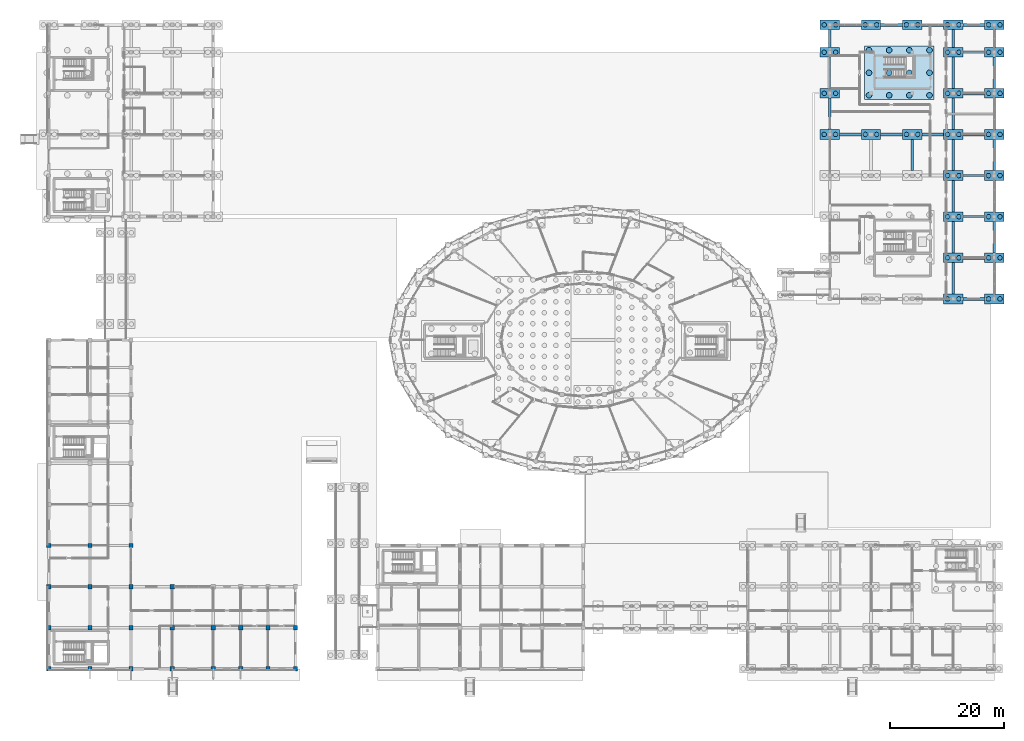
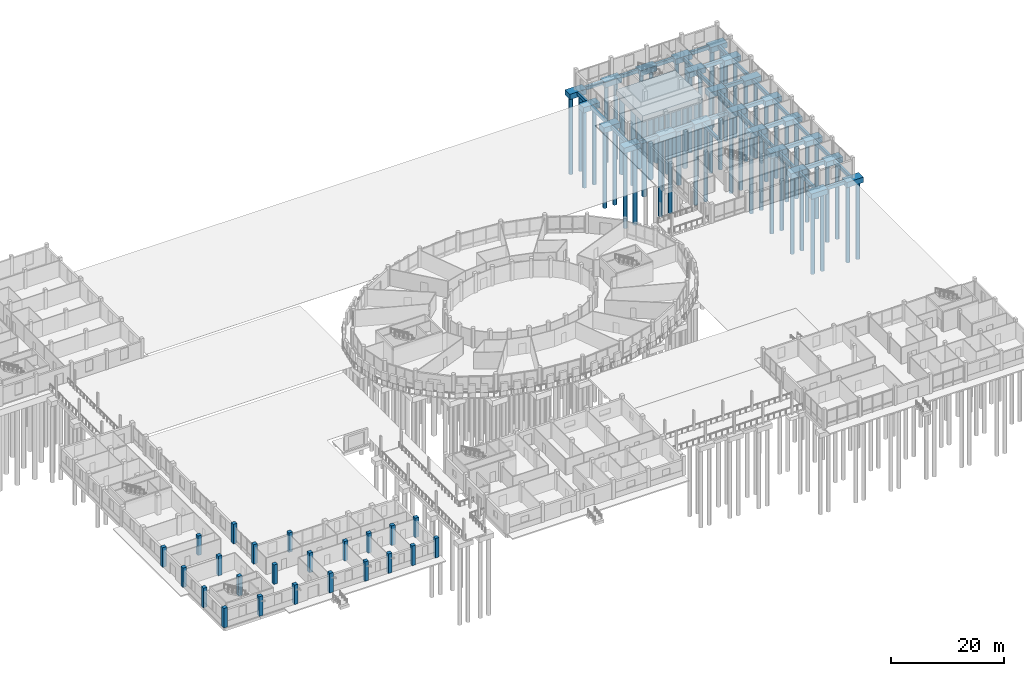
# One storey, part 5 of 98: 60 piles, 57 footings, 23 columns.
"""IFC4 building model written with IfcOpenShell, lengths in metres."""

from ifc_helpers import new_model, si_unit, direction, frame, origin, origin_2d, place, context, subcontext, project, spatial, rectangle, circle, extrude, material, material_profile, profile_set, type_object, element, save


model = new_model("IFC4")

# Units and contexts
model_context = context("Model", 3, precision=1e-05, world=origin(), true_north=direction((0.0, 1.0)))
body_context = subcontext(model_context, "Body", "Model", "MODEL_VIEW")
ifc_project = project(units=[si_unit("LENGTHUNIT", "METRE"), si_unit("AREAUNIT", "SQUARE_METRE"), si_unit("VOLUMEUNIT", "CUBIC_METRE"), si_unit("PLANEANGLEUNIT", "RADIAN"), si_unit("MASSUNIT", "GRAM", prefix="KILO")], contexts=[model_context])

# Site, building, storey
site_placement = place(None, origin())
site = spatial("IfcSite", under=ifc_project, at=site_placement, CompositionType="ELEMENT")
building_placement = place(site_placement, origin())
building = spatial("IfcBuilding", under=site, at=building_placement, Name="Zornivar Specialist Clinic", CompositionType="ELEMENT")
storey_placement = place(building_placement, origin())
storey = spatial("IfcBuildingStorey", under=building, at=storey_placement, Name="L00", CompositionType="ELEMENT", Elevation=0.0)

# Footings
ifc_material_1 = material(Name="Concrete C30/37", Category="concrete")
ifc_material_profile_1 = material_profile(ifc_material_1, rectangle(XDim=0.449951171875, YDim=0.699951171875, at=origin_2d()), Name="RC 450x700")
ifc_profile_set_1 = profile_set([ifc_material_profile_1], Name="Concrete C30/37")
footing_type_1 = type_object("IfcFootingType", Name="FTG-GB-450x700", PredefinedType="FOOTING_BEAM", material=ifc_profile_set_1)
for number, where, z_axis, x_axis, name in (
    (1, (136.800048828125, 94.449951171875, -0.72998046875), (0.0, 1.0, 0.0), (-1.0, 0.0, 0.0), "gb:L00:y:1368:944"),
    (2, (136.800048828125, 101.64990234375, -0.72998046875), (0.0, 1.0, 0.0), (-1.0, 0.0, 0.0), "gb:L00:y:1368:1016"),
):
    element("IfcFooting", number, at=place(storey_placement, frame(where, z_axis=z_axis, x_axis=x_axis)), inside=storey, type_object=footing_type_1, Name=name, PredefinedType="FOOTING_BEAM", context=body_context, shape_type="SweptSolid", body=[
        extrude(rectangle(XDim=0.449951171875, YDim=0.699951171875, at=origin_2d()), origin(), (0.0, 0.0, 1.0), 5.5),
    ])
footing_1_placement = place(storey_placement, frame((136.800048828125, 108.85009765625, -0.72998046875), z_axis=(0.0, 1.0, 0.0), x_axis=(-1.0, 0.0, 0.0)))
element("IfcFooting", 3, at=footing_1_placement, inside=storey, type_object=footing_type_1, Name="gb:L00:y:1368:1088", PredefinedType="FOOTING_BEAM", context=body_context, shape_type="SweptSolid", body=[
    extrude(rectangle(XDim=0.449951171875, YDim=0.699951171875, at=origin_2d()), origin(), (0.0, 0.0, 1.0), 3.099853515625),
])
for number, where, z_axis, x_axis, name in (
    (4, (151.199951171875, 87.25, -0.72998046875), (0.0, 1.0, 0.0), (-1.0, 0.0, 0.0), "gb:L00:y:1512:872"),
    (5, (158.39990234375, 65.64990234375, -0.72998046875), (0.0, 1.0, 0.0), (-1.0, 0.0, 0.0), "gb:L00:y:1584:656"),
    (6, (158.39990234375, 72.85009765625, -0.72998046875), (0.0, 1.0, 0.0), (-1.0, 0.0, 0.0), "gb:L00:y:1584:728"),
    (7, (158.39990234375, 80.050048828125, -0.72998046875), (0.0, 1.0, 0.0), (-1.0, 0.0, 0.0), "gb:L00:y:1584:800"),
    (8, (158.39990234375, 87.25, -0.72998046875), (0.0, 1.0, 0.0), (-1.0, 0.0, 0.0), "gb:L00:y:1584:872"),
    (9, (158.39990234375, 94.449951171875, -0.72998046875), (0.0, 1.0, 0.0), (-1.0, 0.0, 0.0), "gb:L00:y:1584:944"),
    (10, (158.39990234375, 101.64990234375, -0.72998046875), (0.0, 1.0, 0.0), (-1.0, 0.0, 0.0), "gb:L00:y:1584:1016"),
):
    element("IfcFooting", number, at=place(storey_placement, frame(where, z_axis=z_axis, x_axis=x_axis)), inside=storey, type_object=footing_type_1, Name=name, PredefinedType="FOOTING_BEAM", context=body_context, shape_type="SweptSolid", body=[
        extrude(rectangle(XDim=0.449951171875, YDim=0.699951171875, at=origin_2d()), origin(), (0.0, 0.0, 1.0), 5.5),
    ])
footing_2_placement = place(storey_placement, frame((158.39990234375, 108.85009765625, -0.72998046875), z_axis=(0.0, 1.0, 0.0), x_axis=(-1.0, 0.0, 0.0)))
element("IfcFooting", 11, at=footing_2_placement, inside=storey, type_object=footing_type_1, Name="gb:L00:y:1584:1088", PredefinedType="FOOTING_BEAM", context=body_context, shape_type="SweptSolid", body=[
    extrude(rectangle(XDim=0.449951171875, YDim=0.699951171875, at=origin_2d()), origin(), (0.0, 0.0, 1.0), 3.099853515625),
])
for number, where, z_axis, x_axis, name in (
    (12, (165.60009765625, 65.64990234375, -0.72998046875), (0.0, 1.0, 0.0), (-1.0, 0.0, 0.0), "gb:L00:y:1656:656"),
    (13, (165.60009765625, 72.85009765625, -0.72998046875), (0.0, 1.0, 0.0), (-1.0, 0.0, 0.0), "gb:L00:y:1656:728"),
    (14, (165.60009765625, 80.050048828125, -0.72998046875), (0.0, 1.0, 0.0), (-1.0, 0.0, 0.0), "gb:L00:y:1656:800"),
    (15, (165.60009765625, 87.25, -0.72998046875), (0.0, 1.0, 0.0), (-1.0, 0.0, 0.0), "gb:L00:y:1656:872"),
    (16, (165.60009765625, 94.449951171875, -0.72998046875), (0.0, 1.0, 0.0), (-1.0, 0.0, 0.0), "gb:L00:y:1656:944"),
    (17, (165.60009765625, 101.64990234375, -0.72998046875), (0.0, 1.0, 0.0), (-1.0, 0.0, 0.0), "gb:L00:y:1656:1016"),
):
    element("IfcFooting", number, at=place(storey_placement, frame(where, z_axis=z_axis, x_axis=x_axis)), inside=storey, type_object=footing_type_1, Name=name, PredefinedType="FOOTING_BEAM", context=body_context, shape_type="SweptSolid", body=[
        extrude(rectangle(XDim=0.449951171875, YDim=0.699951171875, at=origin_2d()), origin(), (0.0, 0.0, 1.0), 5.5),
    ])
footing_3_placement = place(storey_placement, frame((165.60009765625, 108.85009765625, -0.72998046875), z_axis=(0.0, 1.0, 0.0), x_axis=(-1.0, 0.0, 0.0)))
element("IfcFooting", 18, at=footing_3_placement, inside=storey, type_object=footing_type_1, Name="gb:L00:y:1656:1088", PredefinedType="FOOTING_BEAM", context=body_context, shape_type="SweptSolid", body=[
    extrude(rectangle(XDim=0.449951171875, YDim=0.699951171875, at=origin_2d()), origin(), (0.0, 0.0, 1.0), 3.099853515625),
])
ifc_material_2 = material(Name="Concrete C30/37", Category="concrete")
ifc_material_profile_2 = material_profile(ifc_material_2, rectangle(XDim=0.5, YDim=0.75, at=origin_2d()), Name="RC 500x750")
ifc_profile_set_2 = profile_set([ifc_material_profile_2], Name="Concrete C30/37")
footing_type_2 = type_object("IfcFootingType", Name="FTG-GB-500x750", PredefinedType="FOOTING_BEAM", material=ifc_profile_set_2)
footing_4_placement = place(storey_placement, frame((160.10009765625, 64.800048828125, -0.7548828125), z_axis=(1.0, 0.0, 0.0), x_axis=(0.0, 1.0, 0.0)))
element("IfcFooting", 19, at=footing_4_placement, inside=storey, type_object=footing_type_2, Name="gb:L00:x:648:1601", PredefinedType="FOOTING_BEAM", context=body_context, shape_type="SweptSolid", body=[
    extrude(rectangle(XDim=0.5, YDim=0.75, at=origin_2d()), origin(), (0.0, 0.0, 1.0), 3.7998046875),
])
ifc_material_3 = material(Name="Concrete C30/37", Category="concrete")
ifc_material_profile_3 = material_profile(ifc_material_3, rectangle(XDim=0.52001953125, YDim=0.75, at=origin_2d()), Name="RC 520x750")
ifc_profile_set_3 = profile_set([ifc_material_profile_3], Name="Concrete C30/37")
footing_type_3 = type_object("IfcFootingType", Name="FTG-GB-520x750", PredefinedType="FOOTING_BEAM", material=ifc_profile_set_3)
for number, where, z_axis, x_axis, name in (
    (20, (160.10009765625, 72.0, -0.7548828125), (1.0, 0.0, 0.0), (0.0, 1.0, 0.0), "gb:L00:x:720:1601"),
    (21, (160.10009765625, 79.199951171875, -0.7548828125), (1.0, 0.0, 0.0), (0.0, 1.0, 0.0), "gb:L00:x:792:1601"),
    (22, (160.10009765625, 86.39990234375, -0.7548828125), (1.0, 0.0, 0.0), (0.0, 1.0, 0.0), "gb:L00:x:864:1601"),
):
    element("IfcFooting", number, at=place(storey_placement, frame(where, z_axis=z_axis, x_axis=x_axis)), inside=storey, type_object=footing_type_3, Name=name, PredefinedType="FOOTING_BEAM", context=body_context, shape_type="SweptSolid", body=[
        extrude(rectangle(XDim=0.52001953125, YDim=0.75, at=origin_2d()), origin(), (0.0, 0.0, 1.0), 3.7998046875),
    ])
for number, where, z_axis, x_axis, name in (
    (23, (138.5, 93.60009765625, -0.7548828125), (1.0, 0.0, 0.0), (0.0, 1.0, 0.0), "gb:L00:x:936:1385"),
    (24, (145.699951171875, 93.60009765625, -0.7548828125), (1.0, 0.0, 0.0), (0.0, 1.0, 0.0), "gb:L00:x:936:1457"),
    (25, (152.89990234375, 93.60009765625, -0.7548828125), (1.0, 0.0, 0.0), (0.0, 1.0, 0.0), "gb:L00:x:936:1529"),
):
    element("IfcFooting", number, at=place(storey_placement, frame(where, z_axis=z_axis, x_axis=x_axis)), inside=storey, type_object=footing_type_3, Name=name, PredefinedType="FOOTING_BEAM", context=body_context, shape_type="SweptSolid", body=[
        extrude(rectangle(XDim=0.52001953125, YDim=0.75, at=origin_2d()), origin(), (0.0, 0.0, 1.0), 3.800048828125),
    ])
for number, where, z_axis, x_axis, name in (
    (26, (160.10009765625, 93.60009765625, -0.7548828125), (1.0, 0.0, 0.0), (0.0, 1.0, 0.0), "gb:L00:x:936:1601"),
    (27, (160.10009765625, 100.800048828125, -0.7548828125), (1.0, 0.0, 0.0), (0.0, 1.0, 0.0), "gb:L00:x:1008:1601"),
    (28, (160.10009765625, 108.0, -0.7548828125), (1.0, 0.0, 0.0), (0.0, 1.0, 0.0), "gb:L00:x:1080:1601"),
):
    element("IfcFooting", number, at=place(storey_placement, frame(where, z_axis=z_axis, x_axis=x_axis)), inside=storey, type_object=footing_type_3, Name=name, PredefinedType="FOOTING_BEAM", context=body_context, shape_type="SweptSolid", body=[
        extrude(rectangle(XDim=0.52001953125, YDim=0.75, at=origin_2d()), origin(), (0.0, 0.0, 1.0), 3.7998046875),
    ])
for number, where, z_axis, x_axis, name in (
    (29, (138.5, 112.800048828125, -0.7548828125), (1.0, 0.0, 0.0), (0.0, 1.0, 0.0), "gb:L00:x:1128:1385"),
    (30, (145.699951171875, 112.800048828125, -0.7548828125), (1.0, 0.0, 0.0), (0.0, 1.0, 0.0), "gb:L00:x:1128:1457"),
    (31, (152.89990234375, 112.800048828125, -0.7548828125), (1.0, 0.0, 0.0), (0.0, 1.0, 0.0), "gb:L00:x:1128:1529"),
):
    element("IfcFooting", number, at=place(storey_placement, frame(where, z_axis=z_axis, x_axis=x_axis)), inside=storey, type_object=footing_type_3, Name=name, PredefinedType="FOOTING_BEAM", context=body_context, shape_type="SweptSolid", body=[
        extrude(rectangle(XDim=0.52001953125, YDim=0.75, at=origin_2d()), origin(), (0.0, 0.0, 1.0), 3.800048828125),
    ])
footing_5_placement = place(storey_placement, frame((160.10009765625, 112.800048828125, -0.7548828125), z_axis=(1.0, 0.0, 0.0), x_axis=(0.0, 1.0, 0.0)))
element("IfcFooting", 32, at=footing_5_placement, inside=storey, type_object=footing_type_3, Name="gb:L00:x:1128:1601", PredefinedType="FOOTING_BEAM", context=body_context, shape_type="SweptSolid", body=[
    extrude(rectangle(XDim=0.52001953125, YDim=0.75, at=origin_2d()), origin(), (0.0, 0.0, 1.0), 3.7998046875),
])
ifc_material_4 = material(Name="Concrete C30/37", Category="concrete")
footing_type_4 = type_object("IfcFootingType", Name="FTG-PC-2P-340x170x115", PredefinedType="PILE_CAP", material=ifc_material_4)
for number, where, z_axis, x_axis, name in (
    (33, (136.800048828125, 93.60009765625, -1.530029296875), (0.0, 0.0, 1.0), (1.0, 0.0, 0.0), "ftg:V6:136800_93600"),
    (34, (136.800048828125, 100.800048828125, -1.530029296875), (0.0, 0.0, 1.0), (1.0, 0.0, 0.0), "ftg:V6:136800_100800"),
    (35, (136.800048828125, 108.0, -1.530029296875), (0.0, 0.0, 1.0), (1.0, 0.0, 0.0), "ftg:V6:136800_108000"),
    (36, (136.800048828125, 112.800048828125, -1.530029296875), (0.0, 0.0, 1.0), (1.0, 0.0, 0.0), "ftg:V6:136800_112800"),
    (37, (144.0, 93.60009765625, -1.530029296875), (0.0, 0.0, 1.0), (1.0, 0.0, 0.0), "ftg:V6:144000_93600"),
    (38, (144.0, 112.800048828125, -1.530029296875), (0.0, 0.0, 1.0), (1.0, 0.0, 0.0), "ftg:V6:144000_112800"),
    (39, (151.199951171875, 93.60009765625, -1.530029296875), (0.0, 0.0, 1.0), (1.0, 0.0, 0.0), "ftg:V6:151200_93600"),
    (40, (151.199951171875, 112.800048828125, -1.530029296875), (0.0, 0.0, 1.0), (1.0, 0.0, 0.0), "ftg:V6:151200_112800"),
    (41, (158.39990234375, 64.800048828125, -1.530029296875), (0.0, 0.0, 1.0), (1.0, 0.0, 0.0), "ftg:V6:158400_64800"),
    (42, (158.39990234375, 72.0, -1.530029296875), (0.0, 0.0, 1.0), (1.0, 0.0, 0.0), "ftg:V6:158400_72000"),
    (43, (158.39990234375, 79.199951171875, -1.530029296875), (0.0, 0.0, 1.0), (1.0, 0.0, 0.0), "ftg:V6:158400_79200"),
    (44, (158.39990234375, 86.39990234375, -1.530029296875), (0.0, 0.0, 1.0), (1.0, 0.0, 0.0), "ftg:V6:158400_86400"),
    (45, (158.39990234375, 93.60009765625, -1.530029296875), (0.0, 0.0, 1.0), (1.0, 0.0, 0.0), "ftg:V6:158400_93600"),
    (46, (158.39990234375, 100.800048828125, -1.530029296875), (0.0, 0.0, 1.0), (1.0, 0.0, 0.0), "ftg:V6:158400_100800"),
    (47, (158.39990234375, 108.0, -1.530029296875), (0.0, 0.0, 1.0), (1.0, 0.0, 0.0), "ftg:V6:158400_108000"),
    (48, (158.39990234375, 112.800048828125, -1.530029296875), (0.0, 0.0, 1.0), (1.0, 0.0, 0.0), "ftg:V6:158400_112800"),
    (49, (165.60009765625, 64.800048828125, -1.530029296875), (0.0, 0.0, 1.0), (1.0, 0.0, 0.0), "ftg:V6:165600_64800"),
    (50, (165.60009765625, 72.0, -1.530029296875), (0.0, 0.0, 1.0), (1.0, 0.0, 0.0), "ftg:V6:165600_72000"),
    (51, (165.60009765625, 79.199951171875, -1.530029296875), (0.0, 0.0, 1.0), (1.0, 0.0, 0.0), "ftg:V6:165600_79200"),
    (52, (165.60009765625, 86.39990234375, -1.530029296875), (0.0, 0.0, 1.0), (1.0, 0.0, 0.0), "ftg:V6:165600_86400"),
    (53, (165.60009765625, 93.60009765625, -1.530029296875), (0.0, 0.0, 1.0), (1.0, 0.0, 0.0), "ftg:V6:165600_93600"),
    (54, (165.60009765625, 100.800048828125, -1.530029296875), (0.0, 0.0, 1.0), (1.0, 0.0, 0.0), "ftg:V6:165600_100800"),
    (55, (165.60009765625, 108.0, -1.530029296875), (0.0, 0.0, 1.0), (1.0, 0.0, 0.0), "ftg:V6:165600_108000"),
    (56, (165.60009765625, 112.800048828125, -1.530029296875), (0.0, 0.0, 1.0), (1.0, 0.0, 0.0), "ftg:V6:165600_112800"),
):
    element("IfcFooting", number, at=place(storey_placement, frame(where, z_axis=z_axis, x_axis=x_axis)), inside=storey, type_object=footing_type_4, Name=name, PredefinedType="PILE_CAP", context=body_context, shape_type="SweptSolid", body=[
        extrude(rectangle(XDim=3.39990234375, YDim=1.699951171875, at=origin_2d()), origin(), (0.0, 0.0, 1.0), 1.14990234375),
    ])
ifc_material_5 = material(Name="Concrete C30/37", Category="concrete")
footing_type_5 = type_object("IfcFootingType", Name="FTG-PC-COMB-1210x940x140", PredefinedType="PILE_CAP", material=ifc_material_5)
footing_6_placement = place(storey_placement, frame((148.949951171875, 104.39990234375, -1.75), z_axis=(0.0, 0.0, 1.0), x_axis=(1.0, 0.0, 0.0)))
element("IfcFooting", 57, at=footing_6_placement, inside=storey, type_object=footing_type_5, Name="ftg:core:C10", PredefinedType="PILE_CAP", context=body_context, shape_type="SweptSolid", body=[
    extrude(rectangle(XDim=12.10009765625, YDim=9.39990234375, at=origin_2d()), origin(), (0.0, 0.0, 1.0), 1.39990234375),
])

# Piles
ifc_material_6 = material(Name="Concrete C30/37", Category="concrete")
ifc_material_profile_4 = material_profile(ifc_material_6, circle(Radius=0.5, at=origin_2d()), Name="PILE D1000")
ifc_profile_set_4 = profile_set([ifc_material_profile_4], Name="Concrete C30/37")
pile_type_1 = type_object("IfcPileType", Name="PILE-BORED-1000", PredefinedType="BORED", material=ifc_profile_set_4)
for number, where, z_axis, x_axis, name in (
    (58, (143.64990234375, 100.449951171875, -1.64990234375), (0.0, 0.0, -1.0), (1.0, 0.0, 0.0), "pile:ftg:core:C10:0"),
    (59, (143.64990234375, 104.39990234375, -1.64990234375), (0.0, 0.0, -1.0), (1.0, 0.0, 0.0), "pile:ftg:core:C10:1"),
    (60, (143.64990234375, 108.35009765625, -1.64990234375), (0.0, 0.0, -1.0), (1.0, 0.0, 0.0), "pile:ftg:core:C10:2"),
    (61, (147.18310546875, 100.449951171875, -1.64990234375), (0.0, 0.0, -1.0), (1.0, 0.0, 0.0), "pile:ftg:core:C10:3"),
    (62, (147.18310546875, 104.39990234375, -1.64990234375), (0.0, 0.0, -1.0), (1.0, 0.0, 0.0), "pile:ftg:core:C10:4"),
    (63, (147.18310546875, 108.35009765625, -1.64990234375), (0.0, 0.0, -1.0), (1.0, 0.0, 0.0), "pile:ftg:core:C10:5"),
    (64, (150.717041015625, 100.449951171875, -1.64990234375), (0.0, 0.0, -1.0), (1.0, 0.0, 0.0), "pile:ftg:core:C10:6"),
    (65, (150.717041015625, 104.39990234375, -1.64990234375), (0.0, 0.0, -1.0), (1.0, 0.0, 0.0), "pile:ftg:core:C10:7"),
    (66, (150.717041015625, 108.35009765625, -1.64990234375), (0.0, 0.0, -1.0), (1.0, 0.0, 0.0), "pile:ftg:core:C10:8"),
    (67, (154.25, 100.449951171875, -1.64990234375), (0.0, 0.0, -1.0), (1.0, 0.0, 0.0), "pile:ftg:core:C10:9"),
    (68, (154.25, 104.39990234375, -1.64990234375), (0.0, 0.0, -1.0), (1.0, 0.0, 0.0), "pile:ftg:core:C10:10"),
    (69, (154.25, 108.35009765625, -1.64990234375), (0.0, 0.0, -1.0), (1.0, 0.0, 0.0), "pile:ftg:core:C10:11"),
):
    element("IfcPile", number, at=place(storey_placement, frame(where, z_axis=z_axis, x_axis=x_axis)), inside=storey, type_object=pile_type_1, Name=name, PredefinedType="BORED", context=body_context, shape_type="SweptSolid", body=[
        extrude(circle(Radius=0.5, at=origin_2d()), origin(), (0.0, 0.0, 1.0), 16.550048828125),
    ])
ifc_material_7 = material(Name="Concrete C30/37", Category="concrete")
ifc_material_profile_5 = material_profile(ifc_material_7, circle(Radius=0.39990234375, at=origin_2d()), Name="PILE D800")
ifc_profile_set_5 = profile_set([ifc_material_profile_5], Name="Concrete C30/37")
pile_type_2 = type_object("IfcPileType", Name="PILE-BORED-800", PredefinedType="BORED", material=ifc_profile_set_5)
for number, where, z_axis, x_axis, name in (
    (70, (135.800048828125, 93.60009765625, -1.429931640625), (0.0, 0.0, -1.0), (1.0, 0.0, 0.0), "pile:ftg:V6:136800_93600:0"),
    (71, (137.800048828125, 93.60009765625, -1.429931640625), (0.0, 0.0, -1.0), (1.0, 0.0, 0.0), "pile:ftg:V6:136800_93600:1"),
    (72, (135.800048828125, 100.800048828125, -1.429931640625), (0.0, 0.0, -1.0), (1.0, 0.0, 0.0), "pile:ftg:V6:136800_100800:0"),
    (73, (137.800048828125, 100.800048828125, -1.429931640625), (0.0, 0.0, -1.0), (1.0, 0.0, 0.0), "pile:ftg:V6:136800_100800:1"),
    (74, (135.800048828125, 108.0, -1.429931640625), (0.0, 0.0, -1.0), (1.0, 0.0, 0.0), "pile:ftg:V6:136800_108000:0"),
    (75, (137.800048828125, 108.0, -1.429931640625), (0.0, 0.0, -1.0), (1.0, 0.0, 0.0), "pile:ftg:V6:136800_108000:1"),
    (76, (135.800048828125, 112.800048828125, -1.429931640625), (0.0, 0.0, -1.0), (1.0, 0.0, 0.0), "pile:ftg:V6:136800_112800:0"),
    (77, (137.800048828125, 112.800048828125, -1.429931640625), (0.0, 0.0, -1.0), (1.0, 0.0, 0.0), "pile:ftg:V6:136800_112800:1"),
    (78, (143.0, 93.60009765625, -1.429931640625), (0.0, 0.0, -1.0), (1.0, 0.0, 0.0), "pile:ftg:V6:144000_93600:0"),
    (79, (145.0, 93.60009765625, -1.429931640625), (0.0, 0.0, -1.0), (1.0, 0.0, 0.0), "pile:ftg:V6:144000_93600:1"),
    (80, (143.0, 112.800048828125, -1.429931640625), (0.0, 0.0, -1.0), (1.0, 0.0, 0.0), "pile:ftg:V6:144000_112800:0"),
    (81, (145.0, 112.800048828125, -1.429931640625), (0.0, 0.0, -1.0), (1.0, 0.0, 0.0), "pile:ftg:V6:144000_112800:1"),
    (82, (150.199951171875, 93.60009765625, -1.429931640625), (0.0, 0.0, -1.0), (1.0, 0.0, 0.0), "pile:ftg:V6:151200_93600:0"),
    (83, (152.199951171875, 93.60009765625, -1.429931640625), (0.0, 0.0, -1.0), (1.0, 0.0, 0.0), "pile:ftg:V6:151200_93600:1"),
    (84, (150.199951171875, 112.800048828125, -1.429931640625), (0.0, 0.0, -1.0), (1.0, 0.0, 0.0), "pile:ftg:V6:151200_112800:0"),
    (85, (152.199951171875, 112.800048828125, -1.429931640625), (0.0, 0.0, -1.0), (1.0, 0.0, 0.0), "pile:ftg:V6:151200_112800:1"),
    (86, (157.39990234375, 64.800048828125, -1.429931640625), (0.0, 0.0, -1.0), (1.0, 0.0, 0.0), "pile:ftg:V6:158400_64800:0"),
    (87, (159.39990234375, 64.800048828125, -1.429931640625), (0.0, 0.0, -1.0), (1.0, 0.0, 0.0), "pile:ftg:V6:158400_64800:1"),
    (88, (157.39990234375, 72.0, -1.429931640625), (0.0, 0.0, -1.0), (1.0, 0.0, 0.0), "pile:ftg:V6:158400_72000:0"),
    (89, (159.39990234375, 72.0, -1.429931640625), (0.0, 0.0, -1.0), (1.0, 0.0, 0.0), "pile:ftg:V6:158400_72000:1"),
    (90, (157.39990234375, 79.199951171875, -1.429931640625), (0.0, 0.0, -1.0), (1.0, 0.0, 0.0), "pile:ftg:V6:158400_79200:0"),
    (91, (159.39990234375, 79.199951171875, -1.429931640625), (0.0, 0.0, -1.0), (1.0, 0.0, 0.0), "pile:ftg:V6:158400_79200:1"),
    (92, (157.39990234375, 86.39990234375, -1.429931640625), (0.0, 0.0, -1.0), (1.0, 0.0, 0.0), "pile:ftg:V6:158400_86400:0"),
    (93, (159.39990234375, 86.39990234375, -1.429931640625), (0.0, 0.0, -1.0), (1.0, 0.0, 0.0), "pile:ftg:V6:158400_86400:1"),
    (94, (157.39990234375, 93.60009765625, -1.429931640625), (0.0, 0.0, -1.0), (1.0, 0.0, 0.0), "pile:ftg:V6:158400_93600:0"),
    (95, (159.39990234375, 93.60009765625, -1.429931640625), (0.0, 0.0, -1.0), (1.0, 0.0, 0.0), "pile:ftg:V6:158400_93600:1"),
    (96, (157.39990234375, 100.800048828125, -1.429931640625), (0.0, 0.0, -1.0), (1.0, 0.0, 0.0), "pile:ftg:V6:158400_100800:0"),
    (97, (159.39990234375, 100.800048828125, -1.429931640625), (0.0, 0.0, -1.0), (1.0, 0.0, 0.0), "pile:ftg:V6:158400_100800:1"),
    (98, (157.39990234375, 108.0, -1.429931640625), (0.0, 0.0, -1.0), (1.0, 0.0, 0.0), "pile:ftg:V6:158400_108000:0"),
    (99, (159.39990234375, 108.0, -1.429931640625), (0.0, 0.0, -1.0), (1.0, 0.0, 0.0), "pile:ftg:V6:158400_108000:1"),
    (100, (157.39990234375, 112.800048828125, -1.429931640625), (0.0, 0.0, -1.0), (1.0, 0.0, 0.0), "pile:ftg:V6:158400_112800:0"),
    (101, (159.39990234375, 112.800048828125, -1.429931640625), (0.0, 0.0, -1.0), (1.0, 0.0, 0.0), "pile:ftg:V6:158400_112800:1"),
    (102, (164.60009765625, 64.800048828125, -1.429931640625), (0.0, 0.0, -1.0), (1.0, 0.0, 0.0), "pile:ftg:V6:165600_64800:0"),
    (103, (166.60009765625, 64.800048828125, -1.429931640625), (0.0, 0.0, -1.0), (1.0, 0.0, 0.0), "pile:ftg:V6:165600_64800:1"),
    (104, (164.60009765625, 72.0, -1.429931640625), (0.0, 0.0, -1.0), (1.0, 0.0, 0.0), "pile:ftg:V6:165600_72000:0"),
    (105, (166.60009765625, 72.0, -1.429931640625), (0.0, 0.0, -1.0), (1.0, 0.0, 0.0), "pile:ftg:V6:165600_72000:1"),
    (106, (164.60009765625, 79.199951171875, -1.429931640625), (0.0, 0.0, -1.0), (1.0, 0.0, 0.0), "pile:ftg:V6:165600_79200:0"),
    (107, (166.60009765625, 79.199951171875, -1.429931640625), (0.0, 0.0, -1.0), (1.0, 0.0, 0.0), "pile:ftg:V6:165600_79200:1"),
    (108, (164.60009765625, 86.39990234375, -1.429931640625), (0.0, 0.0, -1.0), (1.0, 0.0, 0.0), "pile:ftg:V6:165600_86400:0"),
    (109, (166.60009765625, 86.39990234375, -1.429931640625), (0.0, 0.0, -1.0), (1.0, 0.0, 0.0), "pile:ftg:V6:165600_86400:1"),
    (110, (164.60009765625, 93.60009765625, -1.429931640625), (0.0, 0.0, -1.0), (1.0, 0.0, 0.0), "pile:ftg:V6:165600_93600:0"),
    (111, (166.60009765625, 93.60009765625, -1.429931640625), (0.0, 0.0, -1.0), (1.0, 0.0, 0.0), "pile:ftg:V6:165600_93600:1"),
    (112, (164.60009765625, 100.800048828125, -1.429931640625), (0.0, 0.0, -1.0), (1.0, 0.0, 0.0), "pile:ftg:V6:165600_100800:0"),
    (113, (166.60009765625, 100.800048828125, -1.429931640625), (0.0, 0.0, -1.0), (1.0, 0.0, 0.0), "pile:ftg:V6:165600_100800:1"),
    (114, (164.60009765625, 108.0, -1.429931640625), (0.0, 0.0, -1.0), (1.0, 0.0, 0.0), "pile:ftg:V6:165600_108000:0"),
    (115, (166.60009765625, 108.0, -1.429931640625), (0.0, 0.0, -1.0), (1.0, 0.0, 0.0), "pile:ftg:V6:165600_108000:1"),
    (116, (164.60009765625, 112.800048828125, -1.429931640625), (0.0, 0.0, -1.0), (1.0, 0.0, 0.0), "pile:ftg:V6:165600_112800:0"),
    (117, (166.60009765625, 112.800048828125, -1.429931640625), (0.0, 0.0, -1.0), (1.0, 0.0, 0.0), "pile:ftg:V6:165600_112800:1"),
):
    element("IfcPile", number, at=place(storey_placement, frame(where, z_axis=z_axis, x_axis=x_axis)), inside=storey, type_object=pile_type_2, Name=name, PredefinedType="BORED", context=body_context, shape_type="SweptSolid", body=[
        extrude(circle(Radius=0.39990234375, at=origin_2d()), origin(), (0.0, 0.0, 1.0), 16.77001953125),
    ])

# Columns
ifc_material_8 = material(Name="Concrete C35/45", Category="concrete")
ifc_material_profile_6 = material_profile(ifc_material_8, rectangle(XDim=0.75, YDim=0.75, at=origin_2d()), Name="RC 750x750")
ifc_profile_set_6 = profile_set([ifc_material_profile_6], Name="Concrete C35/45")
column_type = type_object("IfcColumnType", Name="COL-RC-750", PredefinedType="COLUMN", material=ifc_profile_set_6)
for number, where, z_axis, x_axis, name in (
    (118, (0.0, 0.0, 0.0), (0.0, 0.0, 1.0), (1.0, 0.0, 0.0), "col:V2:L00:0_0"),
    (119, (0.0, 7.199951171875, 0.0), (0.0, 0.0, 1.0), (1.0, 0.0, 0.0), "col:V2:L00:0_72"),
    (120, (0.0, 14.39990234375, 0.0), (0.0, 0.0, 1.0), (1.0, 0.0, 0.0), "col:V2:L00:0_144"),
    (121, (0.0, 21.60009765625, 0.0), (0.0, 0.0, 1.0), (1.0, 0.0, 0.0), "col:V2:L00:0_216"),
    (122, (7.199951171875, 0.0, 0.0), (0.0, 0.0, 1.0), (1.0, 0.0, 0.0), "col:V2:L00:72_0"),
    (123, (7.199951171875, 7.199951171875, 0.0), (0.0, 0.0, 1.0), (1.0, 0.0, 0.0), "col:V2:L00:72_72"),
    (124, (7.199951171875, 14.39990234375, 0.0), (0.0, 0.0, 1.0), (1.0, 0.0, 0.0), "col:V2:L00:72_144"),
    (125, (7.199951171875, 21.60009765625, 0.0), (0.0, 0.0, 1.0), (1.0, 0.0, 0.0), "col:V2:L00:72_216"),
    (126, (14.39990234375, 0.0, 0.0), (0.0, 0.0, 1.0), (1.0, 0.0, 0.0), "col:V2:L00:144_0"),
    (127, (14.39990234375, 7.199951171875, 0.0), (0.0, 0.0, 1.0), (1.0, 0.0, 0.0), "col:V2:L00:144_72"),
    (128, (14.39990234375, 14.39990234375, 0.0), (0.0, 0.0, 1.0), (1.0, 0.0, 0.0), "col:V2:L00:144_144"),
    (129, (14.39990234375, 21.60009765625, 0.0), (0.0, 0.0, 1.0), (1.0, 0.0, 0.0), "col:V2:L00:144_216"),
    (130, (21.60009765625, 0.0, 0.0), (0.0, 0.0, 1.0), (1.0, 0.0, 0.0), "col:V2:L00:216_0"),
    (131, (21.60009765625, 7.199951171875, 0.0), (0.0, 0.0, 1.0), (1.0, 0.0, 0.0), "col:V2:L00:216_72"),
    (132, (21.60009765625, 14.39990234375, 0.0), (0.0, 0.0, 1.0), (1.0, 0.0, 0.0), "col:V2:L00:216_144"),
    (133, (28.800048828125, 0.0, 0.0), (0.0, 0.0, 1.0), (1.0, 0.0, 0.0), "col:V2:L00:288_0"),
    (134, (28.800048828125, 7.199951171875, 0.0), (0.0, 0.0, 1.0), (1.0, 0.0, 0.0), "col:V2:L00:288_72"),
    (135, (33.60009765625, 0.0, 0.0), (0.0, 0.0, 1.0), (1.0, 0.0, 0.0), "col:V2:L00:336_0"),
    (136, (33.60009765625, 7.199951171875, 0.0), (0.0, 0.0, 1.0), (1.0, 0.0, 0.0), "col:V2:L00:336_72"),
    (137, (38.39990234375, 0.0, 0.0), (0.0, 0.0, 1.0), (1.0, 0.0, 0.0), "col:V2:L00:384_0"),
    (138, (38.39990234375, 7.199951171875, 0.0), (0.0, 0.0, 1.0), (1.0, 0.0, 0.0), "col:V2:L00:384_72"),
    (139, (43.199951171875, 0.0, 0.0), (0.0, 0.0, 1.0), (1.0, 0.0, 0.0), "col:V2:L00:432_0"),
    (140, (43.199951171875, 7.199951171875, 0.0), (0.0, 0.0, 1.0), (1.0, 0.0, 0.0), "col:V2:L00:432_72"),
):
    element("IfcColumn", number, at=place(storey_placement, frame(where, z_axis=z_axis, x_axis=x_axis)), inside=storey, type_object=column_type, Name=name, PredefinedType="COLUMN", context=body_context, shape_type="SweptSolid", body=[
        extrude(rectangle(XDim=0.75, YDim=0.75, at=origin_2d()), origin(), (0.0, 0.0, 1.0), 4.219970703125),
    ])

save(model, "model.ifc")
